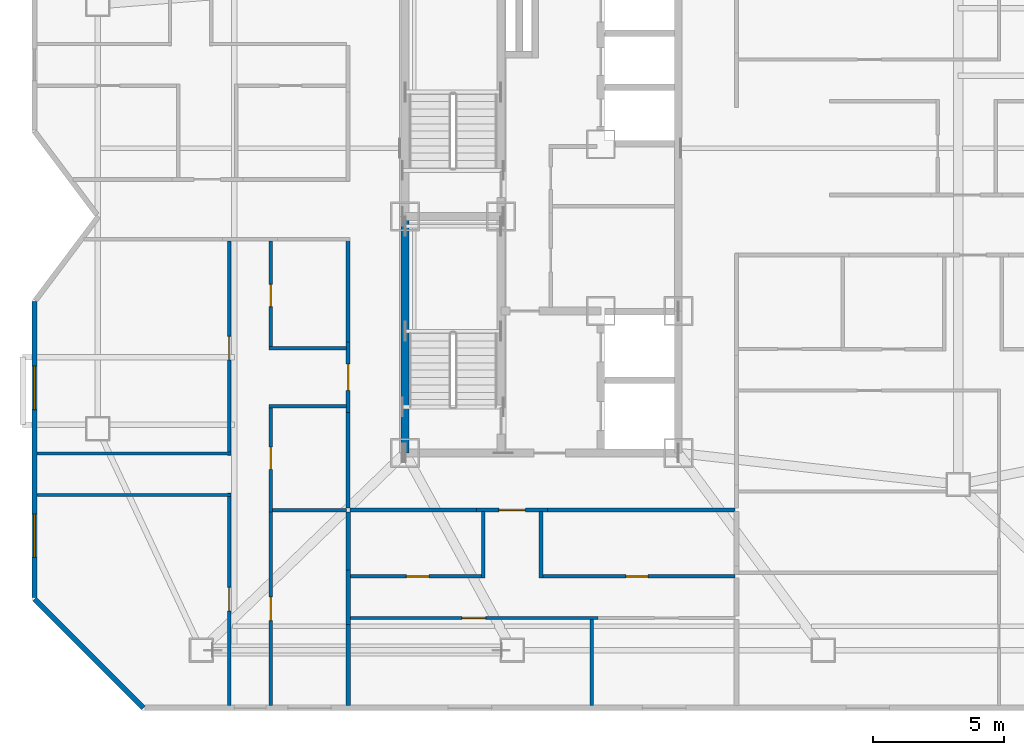
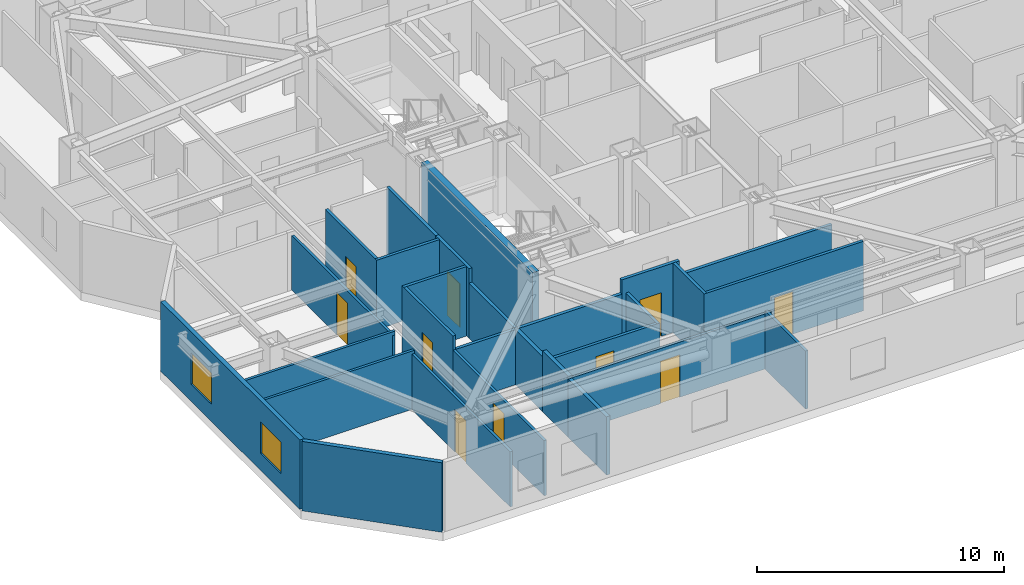
# One storey, part 5 of 11: 28 walls, 10 doors, 2 windows, 12 openings.
"""IFC4 building model written with IfcOpenShell, lengths in metres."""

import ifcopenshell
import ifcopenshell.guid

model = None  # the IFC model being written
_history = None  # IfcOwnerHistory: only IFC2X3 demands one
_inside = {}  # id of a spatial element -> (the spatial element, [elements in it])
_under = {}  # id of a project, library or spatial element -> (it, [spatial elements below it])
_declared = {}  # id of a project -> (the project, [libraries it declares])
_typed = {}  # id of a type object -> (the type object, [elements of that type])
_made_of = {}  # id of a material, layer set ... -> (it, [elements and type objects made of it])


def new_model(schema):
    """Start an empty IFC model of exactly this schema.

    Asked for "IFC4X3", IfcOpenShell would pick the latest addendum, in which some entities
    have other attributes; the version numbers below select the first issue.
    IFC2X3 requires an IfcOwnerHistory on every rooted entity: one is made here for all.
    """
    global model, _history
    if schema == "IFC4X3":
        model = ifcopenshell.file(schema_version=(4, 3, 0, 0))
    else:
        model = ifcopenshell.file(schema=schema)
    _inside.clear()
    _under.clear()
    _declared.clear()
    _typed.clear()
    _made_of.clear()
    _history = None
    if model.schema == "IFC2X3":
        org = make("IfcOrganization", Name="unknown")
        user = make(
            "IfcPersonAndOrganization",
            ThePerson=make("IfcPerson", FamilyName="unknown"),
            TheOrganization=org,
        )
        app = make(
            "IfcApplication",
            ApplicationDeveloper=org,
            Version="unknown",
            ApplicationFullName="unknown",
            ApplicationIdentifier="unknown",
        )
        _history = make(
            "IfcOwnerHistory",
            OwningUser=user,
            OwningApplication=app,
            ChangeAction="ADDED",
            CreationDate=0,
        )
    return model


def make(cls, **values):
    """One entity of the class cls with the attributes given. An attribute that is None is left unset."""
    return model.create_entity(
        cls, **{name: value for name, value in values.items() if value is not None}
    )


def rooted(cls, **values):
    """An entity with a GlobalId (a new one), such as an element, a storey or a relation."""
    return make(cls, GlobalId=ifcopenshell.guid.new(), OwnerHistory=_history, **values)


def si_unit(unit_type, name, prefix=None):
    """IfcSIUnit, for example si_unit("LENGTHUNIT", "METRE", prefix="MILLI")."""
    return make("IfcSIUnit", UnitType=unit_type, Prefix=prefix, Name=name)


def assignment(units):
    """IfcUnitAssignment: the units of a project."""
    return None if units is None else make("IfcUnitAssignment", Units=units)


def point(xyz):
    """IfcCartesianPoint."""
    return None if xyz is None else make("IfcCartesianPoint", Coordinates=xyz)


def direction(xyz):
    """IfcDirection."""
    return None if xyz is None else make("IfcDirection", DirectionRatios=xyz)


def frame(location, z_axis=None, x_axis=None):
    """IfcAxis2Placement3D, a coordinate frame: its origin and axes. An axis left out is left unset."""
    return make(
        "IfcAxis2Placement3D",
        Location=point(location),
        Axis=direction(z_axis),
        RefDirection=direction(x_axis),
    )


def frame_2d(location, x_axis=None):
    """IfcAxis2Placement2D, a coordinate frame in the plane: its origin and x axis."""
    return make(
        "IfcAxis2Placement2D", Location=point(location), RefDirection=direction(x_axis)
    )


def origin():
    """The frame at (0, 0, 0) with its axes left unset."""
    return frame((0.0, 0.0, 0.0))


def place(relative_to, where):
    """IfcLocalPlacement: puts the frame where relative to a parent placement (None: the world)."""
    return make(
        "IfcLocalPlacement", PlacementRelTo=relative_to, RelativePlacement=where
    )


def context(
    kind, dimensions, precision=None, world=None, true_north=None, identifier=None
):
    """IfcGeometricRepresentationContext, for example the 3D "Model" context."""
    return make(
        "IfcGeometricRepresentationContext",
        ContextIdentifier=identifier,
        ContextType=kind,
        CoordinateSpaceDimension=dimensions,
        Precision=precision,
        WorldCoordinateSystem=world,
        TrueNorth=true_north,
    )


def subcontext(parent, identifier, kind, view, scale=None):
    """IfcGeometricRepresentationSubContext, for example "Body" below "Model"."""
    return make(
        "IfcGeometricRepresentationSubContext",
        ContextIdentifier=identifier,
        ContextType=kind,
        ParentContext=parent,
        TargetScale=scale,
        TargetView=view,
    )


def project(units=None, contexts=None):
    """IfcProject with its units and contexts."""
    return rooted(
        "IfcProject",
        Name="project",
        RepresentationContexts=contexts,
        UnitsInContext=assignment(units),
    )


def spatial(cls, under=None, at=None, **own):
    """A site, building, storey or space (cls), placed at a placement, below another one or the project."""
    s = rooted(cls, ObjectPlacement=at, **own)
    if under is not None:
        _under.setdefault(under.id(), (under, []))[1].append(s)
    return s


def profile(cls, at=None, kind="AREA", **sizes):
    """A parametric profile (cls). Its sizes go by their IFC names, for example OverallWidth=200.0."""
    return make(cls, ProfileType=kind, Position=at, **sizes)


def rectangle(**sizes):
    """IfcRectangleProfileDef."""
    return profile("IfcRectangleProfileDef", **sizes)


def extrude(swept, where, along, depth):
    """IfcExtrudedAreaSolid: the profile swept, set in the frame where, extruded along a direction by depth."""
    return make(
        "IfcExtrudedAreaSolid",
        SweptArea=swept,
        Position=where,
        ExtrudedDirection=direction(along),
        Depth=depth,
    )


def shape(context_of_items, identifier, shape_type, items):
    """IfcShapeRepresentation: the items that make up one representation, for example the "Body"."""
    return make(
        "IfcShapeRepresentation",
        ContextOfItems=context_of_items,
        RepresentationIdentifier=identifier,
        RepresentationType=shape_type,
        Items=items,
    )


def material(Name=None, Category=None):
    """IfcMaterial."""
    return make("IfcMaterial", Name=Name, Category=Category)


def layer(
    of_material, thickness, ventilated=None, Name=None, Category=None, Priority=None
):
    """IfcMaterialLayer: one layer of a wall or slab, of a material (None: an air gap)."""
    return make(
        "IfcMaterialLayer",
        Material=of_material,
        LayerThickness=thickness,
        IsVentilated=ventilated,
        Name=Name,
        Category=Category,
        Priority=Priority,
    )


def layer_set(layers, Name=None):
    """IfcMaterialLayerSet."""
    return make("IfcMaterialLayerSet", MaterialLayers=layers, LayerSetName=Name)


def made_of(thing, what):
    """Note that an element or type object is made of a material, layer set ...; save() writes the relation."""
    if what is not None:
        _made_of.setdefault(what.id(), (what, []))[1].append(thing)
    return thing


def type_object(cls, material=None, **own):
    """A type object (cls), such as IfcWallType, which elements share."""
    return made_of(rooted(cls, **own), material)


def element(
    cls,
    number,
    at=None,
    inside=None,
    cuts=None,
    type_object=None,
    material=None,
    context=None,
    identifier="Body",
    shape_type=None,
    held_by="IfcProductDefinitionShape",
    body=None,
    shapes=None,
    **own,
):
    """One element of the class cls, such as IfcWall. Its Tag is "e" and its number.

    at: its placement. inside: the storey or other place that contains it. cuts: it is an
    opening in that element (IfcRelVoidsElement). A single representation is given by context,
    identifier, shape_type and body (its items); several are given by shapes. held_by: the class
    of the entity that holds the representations. save() writes the other relations.
    """
    e = rooted(cls, Tag="e%d" % number, ObjectPlacement=at, **own)
    if body is not None:
        shapes = [shape(context, identifier, shape_type, body)]
    if shapes is not None:
        e.Representation = make(held_by, Representations=shapes)
    if inside is not None:
        _inside.setdefault(inside.id(), (inside, []))[1].append(e)
    if cuts is not None:
        rooted(
            "IfcRelVoidsElement", RelatingBuildingElement=cuts, RelatedOpeningElement=e
        )
    if type_object is not None:
        _typed.setdefault(type_object.id(), (type_object, []))[1].append(e)
    return made_of(e, material)


def fill(opening, filler):
    """IfcRelFillsElement: the door or window that sits in an opening."""
    return rooted(
        "IfcRelFillsElement",
        RelatingOpeningElement=opening,
        RelatedBuildingElement=filler,
    )


def aggregate(whole, parts):
    """IfcRelAggregates: a whole, such as a stair, and the parts it consists of."""
    return rooted("IfcRelAggregates", RelatingObject=whole, RelatedObjects=parts)


def save(model, path):
    """Write the relations noted so far, then the file.

    IfcRelAggregates (storeys below a building ...), IfcRelContainedInSpatialStructure (elements
    in a storey), IfcRelDefinesByType, IfcRelAssociatesMaterial and IfcRelDeclares: one each for
    every whole, place, type object, material and project.
    """
    for whole, parts in _under.values():
        aggregate(whole, parts)
    for where, things in _inside.values():
        rooted(
            "IfcRelContainedInSpatialStructure",
            RelatedElements=things,
            RelatingStructure=where,
        )
    for kind, things in _typed.values():
        rooted("IfcRelDefinesByType", RelatedObjects=things, RelatingType=kind)
    for what, things in _made_of.values():
        rooted("IfcRelAssociatesMaterial", RelatedObjects=things, RelatingMaterial=what)
    for by, libraries in _declared.values():
        rooted("IfcRelDeclares", RelatingContext=by, RelatedDefinitions=libraries)
    model.write(path)


model = new_model("IFC4")

# Units and contexts
model_context = context("Model", 3, precision=1e-05, world=origin(), true_north=direction((0.0, 1.0)))
body_context = subcontext(model_context, "Body", "Model", "MODEL_VIEW")
ifc_project = project(units=[si_unit("LENGTHUNIT", "METRE"), si_unit("AREAUNIT", "SQUARE_METRE"), si_unit("VOLUMEUNIT", "CUBIC_METRE"), si_unit("PLANEANGLEUNIT", "RADIAN"), si_unit("MASSUNIT", "GRAM", prefix="KILO")], contexts=[model_context])

# Site, building, storey
site_placement = place(None, origin())
site = spatial("IfcSite", under=ifc_project, at=site_placement, CompositionType="ELEMENT")
building_placement = place(site_placement, origin())
building = spatial("IfcBuilding", under=site, at=building_placement, Name="Khamvora Tower", CompositionType="ELEMENT")
storey_placement = place(building_placement, frame((0.0, 0.0, 155.89990234375)))
storey = spatial("IfcBuildingStorey", under=building, at=storey_placement, Name="L39", CompositionType="ELEMENT", Elevation=155.89990234375)

# Wall
ifc_material_1 = material(Name="Concrete C50/60", Category="concrete")
ifc_layer_1 = layer(ifc_material_1, 0.300048828125)
ifc_layer_set_1 = layer_set([ifc_layer_1], Name="Concrete C50/60")
wall_type_1 = type_object("IfcWallType", Name="WAL-CORE-300", PredefinedType="SHEAR", material=ifc_layer_set_1)
wall_1_placement = place(storey_placement, frame((29.0, 19.0, 0.0), z_axis=(0.0, 0.0, 1.0), x_axis=(0.0, 1.0, 0.0)))
element("IfcWall", 1, at=wall_1_placement, inside=storey, type_object=wall_type_1, Name="L39 central core west south wall", PredefinedType="SHEAR", context=body_context, shape_type="SweptSolid", body=[
    extrude(rectangle(XDim=9.0, YDim=0.300048828125, at=frame_2d((4.5, 0.0))), origin(), (0.0, 0.0, 1.0), 3.43017578125),
])

# Wall, opening, door
ifc_material_2 = material(Name="Fire-Rated Drywall and Steel Stud", Category="steel")
ifc_layer_2 = layer(ifc_material_2, 0.14990234375)
ifc_layer_set_2 = layer_set([ifc_layer_2], Name="Fire-Rated Drywall and Steel Stud")
wall_type_2 = type_object("IfcWallType", Name="WAL-CORR-150", PredefinedType="STANDARD", material=ifc_layer_set_2)
wall_2_placement = place(storey_placement, frame((26.8349609375, 20.534912109375, 0.0), z_axis=(0.0, 0.0, 1.0), x_axis=(0.0, 1.0, 0.0)))
wall_2 = element("IfcWall", 2, at=wall_2_placement, inside=storey, type_object=wall_type_2, Name="L39 interior partition wall 005", PredefinedType="STANDARD", context=body_context, shape_type="SweptSolid", body=[
    extrude(rectangle(XDim=2.697998046875, YDim=0.14990234375, at=frame_2d((1.34912109375, 0.0))), origin(), (0.0, 0.0, 1.0), 3.43017578125),
])
opening_1_placement = place(wall_2_placement, frame((0.84912109375, 0.0, 0.0)))
opening_1 = element("IfcOpeningElement", 3, at=opening_1_placement, cuts=wall_2, Name="Opening D-U1", PredefinedType="OPENING", context=body_context, shape_type="SweptSolid", body=[
    extrude(rectangle(XDim=1.0, YDim=2.14990234375, at=frame_2d((0.5, 1.074951171875))), frame((0.0, 0.0849609375, 0.0), z_axis=(0.0, -1.0, 0.0), x_axis=(1.0, 0.0, 0.0)), (0.0, 0.0, 1.0), 0.169921875),
])
ifc_material_3 = material(Name="Powder-Coated Steel and Hardwood Leaf", Category="steel")
door_type_1 = type_object("IfcDoorType", Name="DOR-UNIT-1000", OperationType="NOTDEFINED", PredefinedType="DOOR", material=ifc_material_3)
door_1_placement = place(opening_1_placement, origin())
door_1 = element("IfcDoor", 4, at=door_1_placement, inside=storey, type_object=door_type_1, Name="L39 interior door COR-39WAH", OperationType="SINGLE_SWING_RIGHT", OverallHeight=2.14990234375, OverallWidth=1.0, PredefinedType="DOOR", context=body_context, shape_type="SweptSolid", body=[
    extrude(rectangle(XDim=1.0, YDim=2.14990234375, at=frame_2d((0.5, 1.074951171875))), frame((0.0, 0.02490234375, 0.0), z_axis=(0.0, -1.0, 0.0), x_axis=(1.0, 0.0, 0.0)), (0.0, 0.0, 1.0), 0.050048828125),
])
fill(opening_1, door_1)

# Walls
wall_3_placement = place(storey_placement, frame((26.8349609375, 16.89990234375, 0.0), z_axis=(0.0, 0.0, 1.0), x_axis=(0.0, 1.0, 0.0)))
element("IfcWall", 5, at=wall_3_placement, inside=storey, type_object=wall_type_2, Name="L39 interior partition wall 007", PredefinedType="STANDARD", context=body_context, shape_type="SweptSolid", body=[
    extrude(rectangle(XDim=3.635009765625, YDim=0.14990234375, at=frame_2d((1.8173828125, 0.0))), origin(), (0.0, 0.0, 1.0), 2.72509765625),
])
wall_4_placement = place(storey_placement, frame((26.8349609375, 23.23291015625, 0.0), z_axis=(0.0, 0.0, 1.0), x_axis=(0.0, 1.0, 0.0)))
element("IfcWall", 6, at=wall_4_placement, inside=storey, type_object=wall_type_2, Name="L39 interior partition wall 008", PredefinedType="STANDARD", context=body_context, shape_type="SweptSolid", body=[
    extrude(rectangle(XDim=3.967041015625, YDim=0.14990234375, at=frame_2d((1.9833984375, 0.0))), origin(), (0.0, 0.0, 1.0), 3.43017578125),
])

# Wall, opening, door
wall_5_placement = place(storey_placement, frame((34.424072265625, 16.8349609375, 0.0), z_axis=(0.0, 0.0, 1.0), x_axis=(-1.0, 0.0, 0.0)))
wall_5 = element("IfcWall", 7, at=wall_5_placement, inside=storey, type_object=wall_type_2, Name="L39 interior partition wall 016", PredefinedType="STANDARD", context=body_context, shape_type="SweptSolid", body=[
    extrude(rectangle(XDim=2.697998046875, YDim=0.14990234375, at=frame_2d((1.34912109375, 0.0))), origin(), (0.0, 0.0, 1.0), 3.43017578125),
])
opening_2_placement = place(wall_5_placement, frame((0.84912109375, 0.0, 0.0)))
opening_2 = element("IfcOpeningElement", 8, at=opening_2_placement, cuts=wall_5, Name="Opening D-U1", PredefinedType="OPENING", context=body_context, shape_type="SweptSolid", body=[
    extrude(rectangle(XDim=1.0, YDim=2.14990234375, at=frame_2d((0.5, 1.074951171875))), frame((0.0, 0.0849609375, 0.0), z_axis=(0.0, -1.0, 0.0), x_axis=(1.0, 0.0, 0.0)), (0.0, 0.0, 1.0), 0.169921875),
])
door_2_placement = place(opening_2_placement, origin())
door_2 = element("IfcDoor", 9, at=door_2_placement, inside=storey, type_object=door_type_1, Name="L39 interior door COR-39SAH", OperationType="SINGLE_SWING_RIGHT", OverallHeight=2.14990234375, OverallWidth=1.0, PredefinedType="DOOR", context=body_context, shape_type="SweptSolid", body=[
    extrude(rectangle(XDim=1.0, YDim=2.14990234375, at=frame_2d((0.5, 1.074951171875))), frame((0.0, 0.02490234375, 0.0), z_axis=(0.0, -1.0, 0.0), x_axis=(1.0, 0.0, 0.0)), (0.0, 0.0, 1.0), 0.050048828125),
])
fill(opening_2, door_2)

# Walls
wall_6_placement = place(storey_placement, frame((31.72607421875, 16.8349609375, 0.0), z_axis=(0.0, 0.0, 1.0), x_axis=(-1.0, 0.0, 0.0)))
element("IfcWall", 10, at=wall_6_placement, inside=storey, type_object=wall_type_2, Name="L39 interior partition wall 017", PredefinedType="STANDARD", context=body_context, shape_type="SweptSolid", body=[
    extrude(rectangle(XDim=4.826171875, YDim=0.14990234375, at=frame_2d((2.4130859375, 0.0))), origin(), (0.0, 0.0, 1.0), 2.72509765625),
])
wall_7_placement = place(storey_placement, frame((41.550048828125, 16.8349609375, 0.0), z_axis=(0.0, 0.0, 1.0), x_axis=(-1.0, 0.0, 0.0)))
element("IfcWall", 11, at=wall_7_placement, inside=storey, type_object=wall_type_2, Name="L39 interior partition wall 018", PredefinedType="STANDARD", context=body_context, shape_type="SweptSolid", body=[
    extrude(rectangle(XDim=7.1259765625, YDim=0.14990234375, at=frame_2d((3.56298828125, 0.0))), origin(), (0.0, 0.0, 1.0), 2.72509765625),
])
ifc_material_4 = material(Name="Acoustic Double-Stud Fire Wall", Category="gypsum")
ifc_layer_3 = layer(ifc_material_4, 0.179931640625)
ifc_layer_set_3 = layer_set([ifc_layer_3], Name="Acoustic Double-Stud Fire Wall")
wall_type_3 = type_object("IfcWallType", Name="WAL-CORR-180", PredefinedType="STANDARD", material=ifc_layer_set_3)
wall_8_placement = place(storey_placement, frame((26.8349609375, 14.553955078125, 0.0), z_axis=(0.0, 0.0, 1.0), x_axis=(0.0, -1.0, 0.0)))
element("IfcWall", 12, at=wall_8_placement, inside=storey, type_object=wall_type_3, Name="L39 interior partition wall 040", PredefinedType="STANDARD", context=body_context, shape_type="SweptSolid", body=[
    extrude(rectangle(XDim=2.077880859375, YDim=0.179931640625, at=frame_2d((1.0390625, 0.0))), origin(), (0.0, 0.0, 1.0), 3.01318359375),
])
wall_9_placement = place(storey_placement, frame((26.8349609375, 16.75390625, 0.0), z_axis=(0.0, 0.0, 1.0), x_axis=(0.0, -1.0, 0.0)))
element("IfcWall", 13, at=wall_9_placement, inside=storey, type_object=wall_type_3, Name="L39 interior partition wall 041", PredefinedType="STANDARD", context=body_context, shape_type="SweptSolid", body=[
    extrude(rectangle(XDim=2.199951171875, YDim=0.179931640625, at=frame_2d((1.10009765625, 0.0))), origin(), (0.0, 0.0, 1.0), 2.72509765625),
])
wall_10_placement = place(storey_placement, frame((26.8349609375, 12.47607421875, 0.0), z_axis=(0.0, 0.0, 1.0), x_axis=(0.0, -1.0, 0.0)))
element("IfcWall", 14, at=wall_10_placement, inside=storey, type_object=wall_type_3, Name="L39 interior partition wall 042", PredefinedType="STANDARD", context=body_context, shape_type="SweptSolid", body=[
    extrude(rectangle(XDim=3.083984375, YDim=0.179931640625, at=frame_2d((1.5419921875, 0.0))), origin(), (0.0, 0.0, 1.0), 2.8759765625),
])
ifc_material_5 = material(Name="Precast concrete C40/50", Category="concrete")
ifc_layer_4 = layer(ifc_material_5, 0.199951171875)
ifc_layer_set_4 = layer_set([ifc_layer_4], Name="Precast concrete C40/50")
wall_type_4 = type_object("IfcWallType", Name="WAL-EXT-200", PredefinedType="STANDARD", material=ifc_layer_set_4)
wall_11_placement = place(storey_placement, frame((19.041015625, 9.300048828125, 0.0), z_axis=(0.0, 0.0, 1.0), x_axis=(-0.707127625344, 0.707085936414, 0.0)))
element("IfcWall", 15, at=wall_11_placement, inside=storey, type_object=wall_type_4, Name="L39 exterior facade wall 01.1", PredefinedType="STANDARD", context=body_context, shape_type="SweptSolid", body=[
    extrude(rectangle(XDim=5.856201171875, YDim=0.199951171875, at=frame_2d((2.92822265625, 0.0))), origin(), (0.0, 0.0, 1.0), 3.43017578125),
])

# Wall, openings, windows
wall_12_placement = place(storey_placement, frame((14.89990234375, 13.50390625, 0.0), z_axis=(0.0, 0.0, 1.0), x_axis=(0.0, 1.0, 0.0)))
wall_12 = element("IfcWall", 16, at=wall_12_placement, inside=storey, type_object=wall_type_4, Name="L39 exterior facade wall 02.1", PredefinedType="STANDARD", context=body_context, shape_type="SweptSolid", body=[
    extrude(rectangle(XDim=11.26318359375, YDim=0.199951171875, at=frame_2d((5.631591796875, 0.0))), origin(), (0.0, 0.0, 1.0), 3.43017578125),
])
opening_3_placement = place(wall_12_placement, frame((1.51806640625, 0.0, 0.85009765625)))
opening_3 = element("IfcOpeningElement", 17, at=opening_3_placement, cuts=wall_12, Name="Opening WN-06", PredefinedType="OPENING", context=body_context, shape_type="SweptSolid", body=[
    extrude(rectangle(XDim=1.64990234375, YDim=1.550048828125, at=frame_2d((0.824951171875, 0.77490234375))), frame((0.0, 0.10986328125, 0.0), z_axis=(0.0, -1.0, 0.0), x_axis=(1.0, 0.0, 0.0)), (0.0, 0.0, 1.0), 0.219970703125),
])
opening_4_placement = place(wall_12_placement, frame((7.14990234375, 0.0, 0.85009765625)))
opening_4 = element("IfcOpeningElement", 18, at=opening_4_placement, cuts=wall_12, Name="Opening WN-06", PredefinedType="OPENING", context=body_context, shape_type="SweptSolid", body=[
    extrude(rectangle(XDim=1.64990234375, YDim=1.550048828125, at=frame_2d((0.824951171875, 0.77490234375))), frame((0.0, 0.10986328125, 0.0), z_axis=(0.0, -1.0, 0.0), x_axis=(1.0, 0.0, 0.0)), (0.0, 0.0, 1.0), 0.219970703125),
])
ifc_material_6 = material(Name="Low-E Laminated Double Glazing", Category="glass")
window_type = type_object("IfcWindowType", Name="WIN-VIS-1650x1550", PartitioningType="SINGLE_PANEL", PredefinedType="WINDOW", material=ifc_material_6)
window_1_placement = place(opening_3_placement, origin())
window_1 = element("IfcWindow", 19, at=window_1_placement, inside=storey, type_object=window_type, Name="L39 vision window 02.1.01", OverallHeight=1.550048828125, OverallWidth=1.64990234375, PartitioningType="SINGLE_PANEL", PredefinedType="WINDOW", context=body_context, shape_type="SweptSolid", body=[
    extrude(rectangle(XDim=1.64990234375, YDim=1.550048828125, at=frame_2d((0.824951171875, 0.77490234375))), frame((0.0, 0.030029296875, 0.0), z_axis=(0.0, -1.0, 0.0), x_axis=(1.0, 0.0, 0.0)), (0.0, 0.0, 1.0), 0.06005859375),
])
fill(opening_3, window_1)
window_2_placement = place(opening_4_placement, origin())
window_2 = element("IfcWindow", 20, at=window_2_placement, inside=storey, type_object=window_type, Name="L39 vision window 02.1.02", OverallHeight=1.550048828125, OverallWidth=1.64990234375, PartitioningType="SINGLE_PANEL", PredefinedType="WINDOW", context=body_context, shape_type="SweptSolid", body=[
    extrude(rectangle(XDim=1.64990234375, YDim=1.550048828125, at=frame_2d((0.824951171875, 0.77490234375))), frame((0.0, 0.030029296875, 0.0), z_axis=(0.0, -1.0, 0.0), x_axis=(1.0, 0.0, 0.0)), (0.0, 0.0, 1.0), 0.06005859375),
])
fill(opening_4, window_2)

# Wall, opening, door
ifc_material_7 = material(Name="Gypsum Plasterboard Partition", Category="gypsum")
ifc_layer_5 = layer(ifc_material_7, 0.1201171875)
ifc_layer_set_5 = layer_set([ifc_layer_5], Name="Gypsum Plasterboard Partition")
wall_type_5 = type_object("IfcWallType", Name="WAL-PART-120", PredefinedType="PARTITIONING", material=ifc_layer_set_5)
wall_13_placement = place(storey_placement, frame((23.889892578125, 9.39208984375, 0.0), z_axis=(0.0, 0.0, 1.0), x_axis=(0.0, 1.0, 0.0)))
wall_13 = element("IfcWall", 21, at=wall_13_placement, inside=storey, type_object=wall_type_5, Name="L39 interior partition wall 038", PredefinedType="PARTITIONING", context=body_context, shape_type="SweptSolid", body=[
    extrude(rectangle(XDim=7.36181640625, YDim=0.1201171875, at=frame_2d((3.680908203125, 0.0))), origin(), (0.0, 0.0, 1.0), 2.72509765625),
])
opening_5_placement = place(wall_13_placement, frame((3.23095703125, 0.0, 0.0)))
opening_5 = element("IfcOpeningElement", 22, at=opening_5_placement, cuts=wall_13, Name="Opening D-RM1", PredefinedType="OPENING", context=body_context, shape_type="SweptSolid", body=[
    extrude(rectangle(XDim=0.89990234375, YDim=2.10009765625, at=frame_2d((0.449951171875, 1.050048828125))), frame((0.0, 0.070068359375, 0.0), z_axis=(0.0, -1.0, 0.0), x_axis=(1.0, 0.0, 0.0)), (0.0, 0.0, 1.0), 0.14013671875),
])
door_type_2 = type_object("IfcDoorType", Name="DOR-ROOM-900", OperationType="NOTDEFINED", PredefinedType="DOOR", material=ifc_material_3)
door_3_placement = place(opening_5_placement, origin())
door_3 = element("IfcDoor", 23, at=door_3_placement, inside=storey, type_object=door_type_2, Name="L39 interior door 39WAW1-39WAH", OperationType="SINGLE_SWING_RIGHT", OverallHeight=2.10009765625, OverallWidth=0.89990234375, PredefinedType="DOOR", context=body_context, shape_type="SweptSolid", body=[
    extrude(rectangle(XDim=0.89990234375, YDim=2.10009765625, at=frame_2d((0.449951171875, 1.050048828125))), frame((0.0, 0.02490234375, 0.0), z_axis=(0.0, -1.0, 0.0), x_axis=(1.0, 0.0, 0.0)), (0.0, 0.0, 1.0), 0.050048828125),
])
fill(opening_5, door_3)

wall_14_placement = place(storey_placement, frame((22.31005859375, 9.39208984375, 0.0), z_axis=(0.0, 0.0, 1.0), x_axis=(0.0, 1.0, 0.0)))
wall_14 = element("IfcWall", 24, at=wall_14_placement, inside=storey, type_object=wall_type_5, Name="L39 interior partition wall 047", PredefinedType="PARTITIONING", context=body_context, shape_type="SweptSolid", body=[
    extrude(rectangle(XDim=8.077880859375, YDim=0.1201171875, at=frame_2d((4.0390625, 0.0))), origin(), (0.0, 0.0, 1.0), 2.72509765625),
])
opening_6_placement = place(wall_14_placement, frame((3.589111328125, 0.0, 0.0)))
opening_6 = element("IfcOpeningElement", 25, at=opening_6_placement, cuts=wall_14, Name="Opening D-RM1", PredefinedType="OPENING", context=body_context, shape_type="SweptSolid", body=[
    extrude(rectangle(XDim=0.89990234375, YDim=2.10009765625, at=frame_2d((0.449951171875, 1.050048828125))), frame((0.0, 0.070068359375, 0.0), z_axis=(0.0, -1.0, 0.0), x_axis=(1.0, 0.0, 0.0)), (0.0, 0.0, 1.0), 0.14013671875),
])
door_4_placement = place(opening_6_placement, origin())
door_4 = element("IfcDoor", 26, at=door_4_placement, inside=storey, type_object=door_type_2, Name="L39 interior door 39WAH-39WAR1", OperationType="SINGLE_SWING_LEFT", OverallHeight=2.10009765625, OverallWidth=0.89990234375, PredefinedType="DOOR", context=body_context, shape_type="SweptSolid", body=[
    extrude(rectangle(XDim=0.89990234375, YDim=2.10009765625, at=frame_2d((0.449951171875, 1.050048828125))), frame((0.0, 0.02490234375, 0.0), z_axis=(0.0, -1.0, 0.0), x_axis=(1.0, 0.0, 0.0)), (0.0, 0.0, 1.0), 0.050048828125),
])
fill(opening_6, door_4)

# Walls
for number, where, z_axis, x_axis, name in (
    (27, (22.375, 17.405029296875, 0.0), (0.0, 0.0, 1.0), (-1.0, 0.0, 0.0), "L39 interior partition wall 048"),
    (28, (14.991943359375, 18.97509765625, 0.0), (0.0, 0.0, 1.0), (1.0, 0.0, 0.0), "L39 interior partition wall 049"),
):
    element("IfcWall", number, at=place(storey_placement, frame(where, z_axis=z_axis, x_axis=x_axis)), inside=storey, type_object=wall_type_5, Name=name, PredefinedType="PARTITIONING", context=body_context, shape_type="SweptSolid", body=[
        extrude(rectangle(XDim=7.383056640625, YDim=0.1201171875, at=frame_2d((3.69140625, 0.0))), origin(), (0.0, 0.0, 1.0), 2.8759765625),
    ])

# Wall, opening, door
wall_15_placement = place(storey_placement, frame((22.31005859375, 18.909912109375, 0.0), z_axis=(0.0, 0.0, 1.0), x_axis=(0.0, 1.0, 0.0)))
wall_15 = element("IfcWall", 29, at=wall_15_placement, inside=storey, type_object=wall_type_5, Name="L39 interior partition wall 050", PredefinedType="PARTITIONING", context=body_context, shape_type="SweptSolid", body=[
    extrude(rectangle(XDim=8.16015625, YDim=0.1201171875, at=frame_2d((4.080078125, 0.0))), origin(), (0.0, 0.0, 1.0), 2.68701171875),
])
opening_7_placement = place(wall_15_placement, frame((3.6298828125, 0.0, 0.0)))
opening_7 = element("IfcOpeningElement", 30, at=opening_7_placement, cuts=wall_15, Name="Opening D-RM1", PredefinedType="OPENING", context=body_context, shape_type="SweptSolid", body=[
    extrude(rectangle(XDim=0.89990234375, YDim=2.10009765625, at=frame_2d((0.449951171875, 1.050048828125))), frame((0.0, 0.070068359375, 0.0), z_axis=(0.0, -1.0, 0.0), x_axis=(1.0, 0.0, 0.0)), (0.0, 0.0, 1.0), 0.14013671875),
])
door_5_placement = place(opening_7_placement, origin())
door_5 = element("IfcDoor", 31, at=door_5_placement, inside=storey, type_object=door_type_2, Name="L39 interior door 39WAH-39WAR2", OperationType="SINGLE_SWING_RIGHT", OverallHeight=2.10009765625, OverallWidth=0.89990234375, PredefinedType="DOOR", context=body_context, shape_type="SweptSolid", body=[
    extrude(rectangle(XDim=0.89990234375, YDim=2.10009765625, at=frame_2d((0.449951171875, 1.050048828125))), frame((0.0, 0.02490234375, 0.0), z_axis=(0.0, -1.0, 0.0), x_axis=(1.0, 0.0, 0.0)), (0.0, 0.0, 1.0), 0.050048828125),
])
fill(opening_7, door_5)

wall_16_placement = place(storey_placement, frame((36.35302734375, 12.72509765625, 0.0), z_axis=(0.0, 0.0, 1.0), x_axis=(-1.0, 0.0, 0.0)))
wall_16 = element("IfcWall", 32, at=wall_16_placement, inside=storey, type_object=wall_type_5, Name="L39 interior partition wall 069", PredefinedType="PARTITIONING", context=body_context, shape_type="SweptSolid", body=[
    extrude(rectangle(XDim=9.43603515625, YDim=0.1201171875, at=frame_2d((4.718017578125, 0.0))), origin(), (0.0, 0.0, 1.0), 2.72509765625),
])
opening_8_placement = place(wall_16_placement, frame((4.2890625, 0.0, 0.0)))
opening_8 = element("IfcOpeningElement", 33, at=opening_8_placement, cuts=wall_16, Name="Opening D-RM1", PredefinedType="OPENING", context=body_context, shape_type="SweptSolid", body=[
    extrude(rectangle(XDim=0.89990234375, YDim=2.10009765625, at=frame_2d((0.449951171875, 1.050048828125))), frame((0.0, 0.070068359375, 0.0), z_axis=(0.0, -1.0, 0.0), x_axis=(1.0, 0.0, 0.0)), (0.0, 0.0, 1.0), 0.14013671875),
])
door_6_placement = place(opening_8_placement, origin())
door_6 = element("IfcDoor", 34, at=door_6_placement, inside=storey, type_object=door_type_2, Name="L39 interior door 39SAH-39SAL", OperationType="SINGLE_SWING_RIGHT", OverallHeight=2.10009765625, OverallWidth=0.89990234375, PredefinedType="DOOR", context=body_context, shape_type="SweptSolid", body=[
    extrude(rectangle(XDim=0.89990234375, YDim=2.10009765625, at=frame_2d((0.449951171875, 1.050048828125))), frame((0.0, 0.02490234375, 0.0), z_axis=(0.0, -1.0, 0.0), x_axis=(1.0, 0.0, 0.0)), (0.0, 0.0, 1.0), 0.050048828125),
])
fill(opening_8, door_6)

# Walls
wall_17_placement = place(storey_placement, frame((36.10400390625, 12.6708984375, 0.0), z_axis=(0.0, 0.0, 1.0), x_axis=(0.0, -1.0, 0.0)))
element("IfcWall", 35, at=wall_17_placement, inside=storey, type_object=wall_type_5, Name="L39 interior partition wall 074", PredefinedType="PARTITIONING", context=body_context, shape_type="SweptSolid", body=[
    extrude(rectangle(XDim=3.27880859375, YDim=0.1201171875, at=frame_2d((1.639404296875, 0.0))), origin(), (0.0, 0.0, 1.0), 2.8759765625),
])
ifc_material_8 = material(Name="Moisture-Resistant Plasterboard Partition", Category="gypsum")
ifc_layer_6 = layer(ifc_material_8, 0.135009765625)
ifc_layer_set_6 = layer_set([ifc_layer_6], Name="Moisture-Resistant Plasterboard Partition")
wall_type_6 = type_object("IfcWallType", Name="WAL-WET-135", PredefinedType="PARTITIONING", material=ifc_layer_set_6)
wall_18_placement = place(storey_placement, frame((23.955078125, 16.819091796875, 0.0), z_axis=(0.0, 0.0, 1.0), x_axis=(1.0, 0.0, 0.0)))
element("IfcWall", 36, at=wall_18_placement, inside=storey, type_object=wall_type_6, Name="L39 interior partition wall 039", PredefinedType="PARTITIONING", context=body_context, shape_type="SweptSolid", body=[
    extrude(rectangle(XDim=2.81494140625, YDim=0.135009765625, at=frame_2d((1.407470703125, 0.0))), origin(), (0.0, 0.0, 1.0), 2.72509765625),
])
wall_19_placement = place(storey_placement, frame((26.77001953125, 20.783935546875, 0.0), z_axis=(0.0, 0.0, 1.0), x_axis=(-1.0, 0.0, 0.0)))
element("IfcWall", 37, at=wall_19_placement, inside=storey, type_object=wall_type_6, Name="L39 interior partition wall 043", PredefinedType="PARTITIONING", context=body_context, shape_type="SweptSolid", body=[
    extrude(rectangle(XDim=2.945068359375, YDim=0.135009765625, at=frame_2d((1.47265625, 0.0))), origin(), (0.0, 0.0, 1.0), 3.43017578125),
])

# Wall, opening, door
wall_20_placement = place(storey_placement, frame((23.889892578125, 20.84912109375, 0.0), z_axis=(0.0, 0.0, 1.0), x_axis=(0.0, -1.0, 0.0)))
wall_20 = element("IfcWall", 38, at=wall_20_placement, inside=storey, type_object=wall_type_6, Name="L39 interior partition wall 044", PredefinedType="PARTITIONING", context=body_context, shape_type="SweptSolid", body=[
    extrude(rectangle(XDim=4.09521484375, YDim=0.135009765625, at=frame_2d((2.047607421875, 0.0))), origin(), (0.0, 0.0, 1.0), 3.43017578125),
])
opening_9_placement = place(wall_20_placement, frame((1.6220703125, 0.0, 0.0)))
opening_9 = element("IfcOpeningElement", 39, at=opening_9_placement, cuts=wall_20, Name="Opening D-WC1", PredefinedType="OPENING", context=body_context, shape_type="SweptSolid", body=[
    extrude(rectangle(XDim=0.85009765625, YDim=2.10009765625, at=frame_2d((0.425048828125, 1.050048828125))), frame((0.0, 0.077392578125, 0.0), z_axis=(0.0, -1.0, 0.0), x_axis=(1.0, 0.0, 0.0)), (0.0, 0.0, 1.0), 0.155029296875),
])
door_type_3 = type_object("IfcDoorType", Name="DOR-WET-850", OperationType="NOTDEFINED", PredefinedType="DOOR", material=ifc_material_3)
door_7_placement = place(opening_9_placement, origin())
door_7 = element("IfcDoor", 40, at=door_7_placement, inside=storey, type_object=door_type_3, Name="L39 interior door 39WAH-39WAB", OperationType="SINGLE_SWING_LEFT", OverallHeight=2.10009765625, OverallWidth=0.85009765625, PredefinedType="DOOR", context=body_context, shape_type="SweptSolid", body=[
    extrude(rectangle(XDim=0.85009765625, YDim=2.10009765625, at=frame_2d((0.425048828125, 1.050048828125))), frame((0.0, 0.02490234375, 0.0), z_axis=(0.0, -1.0, 0.0), x_axis=(1.0, 0.0, 0.0)), (0.0, 0.0, 1.0), 0.050048828125),
])
fill(opening_9, door_7)

wall_21_placement = place(storey_placement, frame((23.889892578125, 27.070068359375, 0.0), z_axis=(0.0, 0.0, 1.0), x_axis=(0.0, -1.0, 0.0)))
wall_21 = element("IfcWall", 41, at=wall_21_placement, inside=storey, type_object=wall_type_6, Name="L39 interior partition wall 045", PredefinedType="PARTITIONING", context=body_context, shape_type="SweptSolid", body=[
    extrude(rectangle(XDim=4.151123046875, YDim=0.135009765625, at=frame_2d((2.07568359375, 0.0))), origin(), (0.0, 0.0, 1.0), 3.43017578125),
])
opening_10_placement = place(wall_21_placement, frame((1.64990234375, 0.0, 0.0)))
opening_10 = element("IfcOpeningElement", 42, at=opening_10_placement, cuts=wall_21, Name="Opening D-RM2", PredefinedType="OPENING", context=body_context, shape_type="SweptSolid", body=[
    extrude(rectangle(XDim=0.85009765625, YDim=2.10009765625, at=frame_2d((0.425048828125, 1.050048828125))), frame((0.0, 0.077392578125, 0.0), z_axis=(0.0, -1.0, 0.0), x_axis=(1.0, 0.0, 0.0)), (0.0, 0.0, 1.0), 0.155029296875),
])
door_type_4 = type_object("IfcDoorType", Name="DOR-ROOM-850", OperationType="NOTDEFINED", PredefinedType="DOOR", material=ifc_material_3)
door_8_placement = place(opening_10_placement, origin())
door_8 = element("IfcDoor", 43, at=door_8_placement, inside=storey, type_object=door_type_4, Name="L39 interior door 39WAH-39WAK", OperationType="SINGLE_SWING_RIGHT", OverallHeight=2.10009765625, OverallWidth=0.85009765625, PredefinedType="DOOR", context=body_context, shape_type="SweptSolid", body=[
    extrude(rectangle(XDim=0.85009765625, YDim=2.10009765625, at=frame_2d((0.425048828125, 1.050048828125))), frame((0.0, 0.02490234375, 0.0), z_axis=(0.0, -1.0, 0.0), x_axis=(1.0, 0.0, 0.0)), (0.0, 0.0, 1.0), 0.050048828125),
])
fill(opening_10, door_8)

# Wall
wall_22_placement = place(storey_placement, frame((23.824951171875, 22.98388671875, 0.0), z_axis=(0.0, 0.0, 1.0), x_axis=(1.0, 0.0, 0.0)))
element("IfcWall", 44, at=wall_22_placement, inside=storey, type_object=wall_type_6, Name="L39 interior partition wall 046", PredefinedType="PARTITIONING", context=body_context, shape_type="SweptSolid", body=[
    extrude(rectangle(XDim=2.945068359375, YDim=0.135009765625, at=frame_2d((1.47265625, 0.0))), origin(), (0.0, 0.0, 1.0), 3.43017578125),
])

# Wall, opening, door
wall_23_placement = place(storey_placement, frame((26.9169921875, 14.304931640625, 0.0), z_axis=(0.0, 0.0, 1.0), x_axis=(1.0, 0.0, 0.0)))
wall_23 = element("IfcWall", 45, at=wall_23_placement, inside=storey, type_object=wall_type_6, Name="L39 interior partition wall 065", PredefinedType="PARTITIONING", context=body_context, shape_type="SweptSolid", body=[
    extrude(rectangle(XDim=5.123046875, YDim=0.135009765625, at=frame_2d((2.5615234375, 0.0))), origin(), (0.0, 0.0, 1.0), 2.72509765625),
])
opening_11_placement = place(wall_23_placement, frame((2.136962890625, 0.0, 0.0)))
opening_11 = element("IfcOpeningElement", 46, at=opening_11_placement, cuts=wall_23, Name="Opening D-WC1", PredefinedType="OPENING", context=body_context, shape_type="SweptSolid", body=[
    extrude(rectangle(XDim=0.85009765625, YDim=2.10009765625, at=frame_2d((0.425048828125, 1.050048828125))), frame((0.0, 0.077392578125, 0.0), z_axis=(0.0, -1.0, 0.0), x_axis=(1.0, 0.0, 0.0)), (0.0, 0.0, 1.0), 0.155029296875),
])
door_9_placement = place(opening_11_placement, origin())
door_9 = element("IfcDoor", 47, at=door_9_placement, inside=storey, type_object=door_type_3, Name="L39 interior door 39SAH-39SAB", OperationType="SINGLE_SWING_RIGHT", OverallHeight=2.10009765625, OverallWidth=0.85009765625, PredefinedType="DOOR", context=body_context, shape_type="SweptSolid", body=[
    extrude(rectangle(XDim=0.85009765625, YDim=2.10009765625, at=frame_2d((0.425048828125, 1.050048828125))), frame((0.0, 0.02490234375, 0.0), z_axis=(0.0, -1.0, 0.0), x_axis=(1.0, 0.0, 0.0)), (0.0, 0.0, 1.0), 0.050048828125),
])
fill(opening_11, door_9)

# Walls
wall_24_placement = place(storey_placement, frame((31.97509765625, 14.239990234375, 0.0), z_axis=(0.0, 0.0, 1.0), x_axis=(0.0, 1.0, 0.0)))
element("IfcWall", 48, at=wall_24_placement, inside=storey, type_object=wall_type_6, Name="L39 interior partition wall 066", PredefinedType="PARTITIONING", context=body_context, shape_type="SweptSolid", body=[
    extrude(rectangle(XDim=2.530029296875, YDim=0.135009765625, at=frame_2d((1.26513671875, 0.0))), origin(), (0.0, 0.0, 1.0), 2.72509765625),
])
wall_25_placement = place(storey_placement, frame((34.175048828125, 16.77001953125, 0.0), z_axis=(0.0, 0.0, 1.0), x_axis=(0.0, -1.0, 0.0)))
element("IfcWall", 49, at=wall_25_placement, inside=storey, type_object=wall_type_6, Name="L39 interior partition wall 067", PredefinedType="PARTITIONING", context=body_context, shape_type="SweptSolid", body=[
    extrude(rectangle(XDim=2.530029296875, YDim=0.135009765625, at=frame_2d((1.26513671875, 0.0))), origin(), (0.0, 0.0, 1.0), 3.43017578125),
])

# Wall, opening, door
wall_26_placement = place(storey_placement, frame((34.110107421875, 14.304931640625, 0.0), z_axis=(0.0, 0.0, 1.0), x_axis=(1.0, 0.0, 0.0)))
wall_26 = element("IfcWall", 50, at=wall_26_placement, inside=storey, type_object=wall_type_6, Name="L39 interior partition wall 068", PredefinedType="PARTITIONING", context=body_context, shape_type="SweptSolid", body=[
    extrude(rectangle(XDim=7.43994140625, YDim=0.135009765625, at=frame_2d((3.719970703125, 0.0))), origin(), (0.0, 0.0, 1.0), 3.43017578125),
])
opening_12_placement = place(wall_26_placement, frame((3.294921875, 0.0, 0.0)))
opening_12 = element("IfcOpeningElement", 51, at=opening_12_placement, cuts=wall_26, Name="Opening D-RM2", PredefinedType="OPENING", context=body_context, shape_type="SweptSolid", body=[
    extrude(rectangle(XDim=0.85009765625, YDim=2.10009765625, at=frame_2d((0.425048828125, 1.050048828125))), frame((0.0, 0.077392578125, 0.0), z_axis=(0.0, -1.0, 0.0), x_axis=(1.0, 0.0, 0.0)), (0.0, 0.0, 1.0), 0.155029296875),
])
door_10_placement = place(opening_12_placement, origin())
door_10 = element("IfcDoor", 52, at=door_10_placement, inside=storey, type_object=door_type_4, Name="L39 interior door 39SAH-39SAK", OperationType="SINGLE_SWING_LEFT", OverallHeight=2.10009765625, OverallWidth=0.85009765625, PredefinedType="DOOR", context=body_context, shape_type="SweptSolid", body=[
    extrude(rectangle(XDim=0.85009765625, YDim=2.10009765625, at=frame_2d((0.425048828125, 1.050048828125))), frame((0.0, 0.02490234375, 0.0), z_axis=(0.0, -1.0, 0.0), x_axis=(1.0, 0.0, 0.0)), (0.0, 0.0, 1.0), 0.050048828125),
])
fill(opening_12, door_10)

save(model, "model.ifc")
